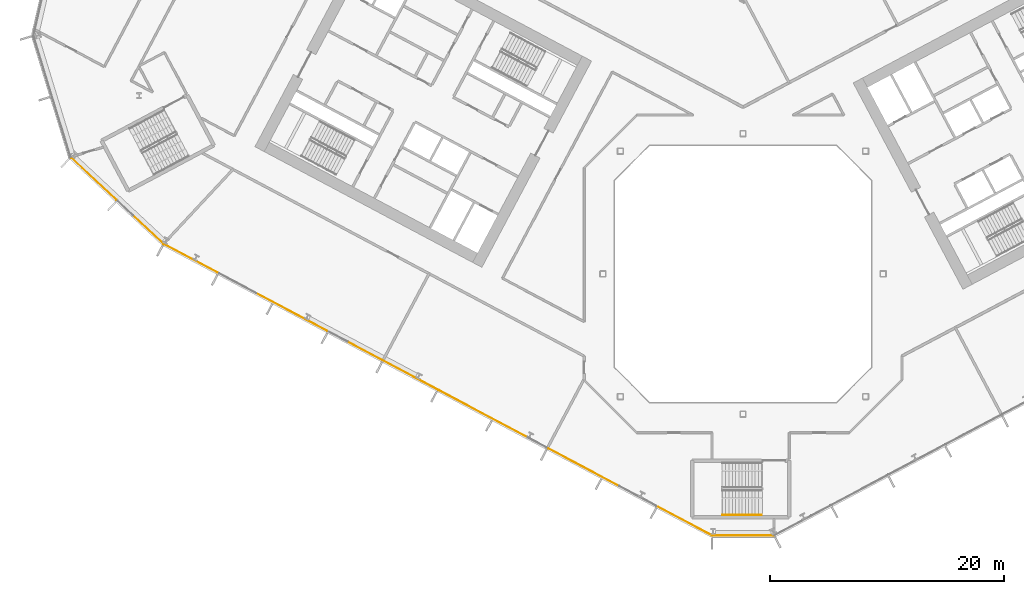
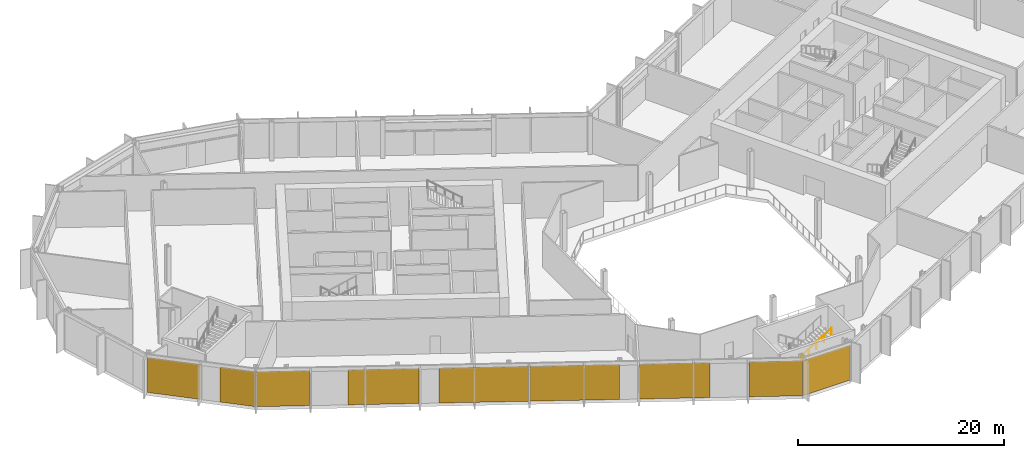
# One storey, part 21 of 31: 9 coverings, 1 railing, 3 elements without a shape of their own.
"""IFC4 building model written with IfcOpenShell, lengths in metres."""

from ifc_helpers import new_model, si_unit, direction, frame, origin, origin_2d, place, context, subcontext, project, spatial, polyline, rectangle, outline, extrude, material, layer, layer_set, type_object, element, aggregate, save


model = new_model("IFC4")

# Units and contexts
model_context = context("Model", 3, precision=1e-05, world=origin(), true_north=direction((0.0, 1.0)))
body_context = subcontext(model_context, "Body", "Model", "MODEL_VIEW")
ifc_project = project(units=[si_unit("LENGTHUNIT", "METRE"), si_unit("AREAUNIT", "SQUARE_METRE"), si_unit("VOLUMEUNIT", "CUBIC_METRE"), si_unit("PLANEANGLEUNIT", "RADIAN"), si_unit("MASSUNIT", "GRAM", prefix="KILO")], contexts=[model_context])

# Site, building, storey
site_placement = place(None, origin())
site = spatial("IfcSite", under=ifc_project, at=site_placement, CompositionType="ELEMENT")
building_placement = place(site_placement, origin())
building = spatial("IfcBuilding", under=site, at=building_placement, Name="Cormorant Relay Tower", CompositionType="ELEMENT")
storey_placement = place(building_placement, frame((0.0, 0.0, 103.0)))
storey = spatial("IfcBuildingStorey", under=building, at=storey_placement, Name="L20", CompositionType="ELEMENT", Elevation=103.0)

# Curtain wall, covering
ifc_material_1 = material(Name="Aluminium 6063-T6 anodised bronze", Category="aluminium")
ifc_layer_1 = layer(ifc_material_1, 0.199951171875)
ifc_layer_set_1 = layer_set([ifc_layer_1], Name="CW1 unitised bronze curtain wall with vertical fins")
curtain_wall_type = type_object("IfcCurtainWallType", Name="CW1 unitised bronze curtain wall with vertical fins", PredefinedType="NOTDEFINED", material=ifc_layer_set_1)
curtain_wall_1_placement = place(storey_placement, origin())
curtain_wall_1 = element("IfcCurtainWall", 1, at=curtain_wall_1_placement, inside=storey, type_object=curtain_wall_type, Name="CW1 curtain wall 1", PredefinedType="NOTDEFINED")
ifc_material_2 = material(Name="Pale bronze anodised aluminium insulated panel", Category="aluminium")
ifc_layer_2 = layer(ifc_material_2, 0.0400390625)
ifc_layer_set_2 = layer_set([ifc_layer_2], Name="CW1 pale bronze insulated panel 40")
covering_type = type_object("IfcCoveringType", Name="CW1 pale bronze insulated panel 40", PredefinedType="CLADDING", material=ifc_layer_set_2)
covering_1_placement = place(storey_placement, frame((0.03759765625, -22.3955078125, 0.0), z_axis=(0.0, 0.0, 1.0), x_axis=(1.0, 0.0, 0.0)))
covering_1 = element("IfcCovering", 2, at=covering_1_placement, type_object=covering_type, Name="CW1 panel S00", PredefinedType="CLADDING", context=body_context, shape_type="SweptSolid", body=[
    extrude(rectangle(XDim=5.22265625, YDim=0.0400390625, at=origin_2d()), origin(), (0.0, 0.0, 1.0), 4.14990234375),
])
aggregate(curtain_wall_1, [covering_1])

# Curtain wall, coverings
curtain_wall_2_placement = place(storey_placement, origin())
curtain_wall_2 = element("IfcCurtainWall", 3, at=curtain_wall_2_placement, inside=storey, type_object=curtain_wall_type, Name="CW1 curtain wall 13", PredefinedType="NOTDEFINED")
covering_2_placement = place(storey_placement, frame((-55.56787109375, 8.1298828125, 0.0), z_axis=(0.0, 0.0, 1.0), x_axis=(0.731353701619, -0.681998360062, 0.0)))
covering_2 = element("IfcCovering", 4, at=covering_2_placement, type_object=covering_type, Name="CW1 panel S00", PredefinedType="CLADDING", context=body_context, shape_type="SweptSolid", body=[
    extrude(rectangle(XDim=5.28515625, YDim=0.0400390625, at=origin_2d()), origin(), (0.0, 0.0, 1.0), 4.14990234375),
])
covering_3_placement = place(storey_placement, frame((-50.906982421875, 3.78369140625, 0.0), z_axis=(0.0, 0.0, 1.0), x_axis=(0.731353701619, -0.681998360062, 0.0)))
covering_3 = element("IfcCovering", 5, at=covering_3_placement, type_object=covering_type, Name="CW1 panel S02", PredefinedType="CLADDING", context=body_context, shape_type="SweptSolid", body=[
    extrude(rectangle(XDim=3.560302734375, YDim=0.0400390625, at=origin_2d()), origin(), (0.0, 0.0, 1.0), 4.14990234375),
])
aggregate(curtain_wall_2, [covering_2, covering_3])

curtain_wall_3_placement = place(storey_placement, origin())
curtain_wall_3 = element("IfcCurtainWall", 6, at=curtain_wall_3_placement, inside=storey, type_object=curtain_wall_type, Name="CW1 curtain wall 14", PredefinedType="NOTDEFINED")
covering_4_placement = place(storey_placement, frame((-47.25390625, 1.318603515625, 0.0), z_axis=(0.0, 0.0, 1.0), x_axis=(0.882947592859, -0.469471562786, 0.0)))
covering_4 = element("IfcCovering", 7, at=covering_4_placement, type_object=covering_type, Name="CW1 panel S00", PredefinedType="CLADDING", context=body_context, shape_type="SweptSolid", body=[
    extrude(rectangle(XDim=5.16650390625, YDim=0.0400390625, at=origin_2d()), origin(), (0.0, 0.0, 1.0), 4.14990234375),
])
covering_5_placement = place(storey_placement, frame((-38.623046875, -3.2705078125, 0.0), z_axis=(0.0, 0.0, 1.0), x_axis=(0.882947592859, -0.469471562786, 0.0)))
covering_5 = element("IfcCovering", 8, at=covering_5_placement, type_object=covering_type, Name="CW1 panel S02", PredefinedType="CLADDING", context=body_context, shape_type="SweptSolid", body=[
    extrude(rectangle(XDim=6.88330078125, YDim=0.0400390625, at=origin_2d()), origin(), (0.0, 0.0, 1.0), 4.14990234375),
])
covering_6_placement = place(storey_placement, frame((-30.029296875, -7.83984375, 0.0), z_axis=(0.0, 0.0, 1.0), x_axis=(0.882947592859, -0.469471562786, 0.0)))
covering_6 = element("IfcCovering", 9, at=covering_6_placement, type_object=covering_type, Name="CW1 panel S04", PredefinedType="CLADDING", context=body_context, shape_type="SweptSolid", body=[
    extrude(rectangle(XDim=8.68310546875, YDim=0.0400390625, at=origin_2d()), origin(), (0.0, 0.0, 1.0), 4.14990234375),
])
covering_7_placement = place(storey_placement, frame((-22.22998046875, -11.98681640625, 0.0), z_axis=(0.0, 0.0, 1.0), x_axis=(0.882947592859, -0.469471562786, 0.0)))
covering_7 = element("IfcCovering", 10, at=covering_7_placement, type_object=covering_type, Name="CW1 panel S05", PredefinedType="CLADDING", context=body_context, shape_type="SweptSolid", body=[
    extrude(rectangle(XDim=8.68310546875, YDim=0.0400390625, at=origin_2d()), origin(), (0.0, 0.0, 1.0), 4.14990234375),
])
covering_8_placement = place(storey_placement, frame((-13.635986328125, -16.55615234375, 0.0), z_axis=(0.0, 0.0, 1.0), x_axis=(0.882947592859, -0.469471562786, 0.0)))
covering_8 = element("IfcCovering", 11, at=covering_8_placement, type_object=covering_type, Name="CW1 panel S07", PredefinedType="CLADDING", context=body_context, shape_type="SweptSolid", body=[
    extrude(rectangle(XDim=6.88330078125, YDim=0.0400390625, at=origin_2d()), origin(), (0.0, 0.0, 1.0), 4.14990234375),
])
covering_9_placement = place(storey_placement, frame((-4.972412109375, -21.162841796875, 0.0), z_axis=(0.0, 0.0, 1.0), x_axis=(0.882947592859, -0.469471562786, 0.0)))
covering_9 = element("IfcCovering", 12, at=covering_9_placement, type_object=covering_type, Name="CW1 panel S09", PredefinedType="CLADDING", context=body_context, shape_type="SweptSolid", body=[
    extrude(rectangle(XDim=5.24169921875, YDim=0.0400390625, at=origin_2d()), origin(), (0.0, 0.0, 1.0), 4.14990234375),
])
aggregate(curtain_wall_3, [covering_4, covering_5, covering_6, covering_7, covering_8, covering_9])

# Railing
ifc_material_3 = material(Name="Steel ASTM A572 Grade 50 (Fy 345 MPa)", Category="steel")
railing_type = type_object("IfcRailingType", Name="Stair handrail 900", PredefinedType="HANDRAIL", material=ifc_material_3)
railing_placement = place(storey_placement, frame((-1.760009765625, -20.625, 2.476806640625)))
element("IfcRailing", 13, at=railing_placement, inside=storey, type_object=railing_type, Name="L20 RK1 stair handrail 2", PredefinedType="HANDRAIL", context=body_context, shape_type="SweptSolid", body=[
    extrude(outline(polyline([(0.022216796875, 0.00927734375), (0.00927734375, 0.022216796875), (-0.00927734375, 0.022216796875), (-0.022216796875, 0.00927734375), (-0.022216796875, -0.00927734375), (-0.00927734375, -0.022216796875), (0.00927734375, -0.022216796875), (0.022216796875, -0.00927734375), (0.022216796875, 0.00927734375)])), frame((0.0, 0.0, 0.8759765625), z_axis=(0.845361898145, 0.0, 0.534194029511), x_axis=(0.0, 1.0, 0.0)), (0.0, 0.0, 1.0), 3.974853515625),
    extrude(outline(polyline([(0.019287109375, 0.008056640625), (0.008056640625, 0.019287109375), (-0.008056640625, 0.019287109375), (-0.019287109375, 0.008056640625), (-0.019287109375, -0.008056640625), (-0.008056640625, -0.019287109375), (0.008056640625, -0.019287109375), (0.019287109375, -0.008056640625), (0.019287109375, 0.008056640625)])), origin(), (0.0, 0.0, 1.0), 0.851806640625),
    extrude(outline(polyline([(0.019287109375, 0.008056640625), (0.008056640625, 0.019287109375), (-0.008056640625, 0.019287109375), (-0.019287109375, 0.008056640625), (-0.019287109375, -0.008056640625), (-0.008056640625, -0.019287109375), (0.008056640625, -0.019287109375), (0.019287109375, -0.008056640625), (0.019287109375, 0.008056640625)])), frame((0.840087890625, 0.0, 0.53076171875)), (0.0, 0.0, 1.0), 0.851806640625),
    extrude(outline(polyline([(0.019287109375, 0.008056640625), (0.008056640625, 0.019287109375), (-0.008056640625, 0.019287109375), (-0.019287109375, 0.008056640625), (-0.019287109375, -0.008056640625), (-0.008056640625, -0.019287109375), (0.008056640625, -0.019287109375), (0.019287109375, -0.008056640625), (0.019287109375, 0.008056640625)])), frame((1.68017578125, 0.0, 1.0615234375)), (0.0, 0.0, 1.0), 0.851806640625),
    extrude(outline(polyline([(0.019287109375, 0.008056640625), (0.008056640625, 0.019287109375), (-0.008056640625, 0.019287109375), (-0.019287109375, 0.008056640625), (-0.019287109375, -0.008056640625), (-0.008056640625, -0.019287109375), (0.008056640625, -0.019287109375), (0.019287109375, -0.008056640625), (0.019287109375, 0.008056640625)])), frame((2.52001953125, 0.0, 1.592529296875)), (0.0, 0.0, 1.0), 0.851806640625),
    extrude(outline(polyline([(0.019287109375, 0.008056640625), (0.008056640625, 0.019287109375), (-0.008056640625, 0.019287109375), (-0.019287109375, 0.008056640625), (-0.019287109375, -0.008056640625), (-0.008056640625, -0.019287109375), (0.008056640625, -0.019287109375), (0.019287109375, -0.008056640625), (0.019287109375, 0.008056640625)])), frame((3.360107421875, 0.0, 2.123291015625)), (0.0, 0.0, 1.0), 0.851806640625),
])

save(model, "model.ifc")
